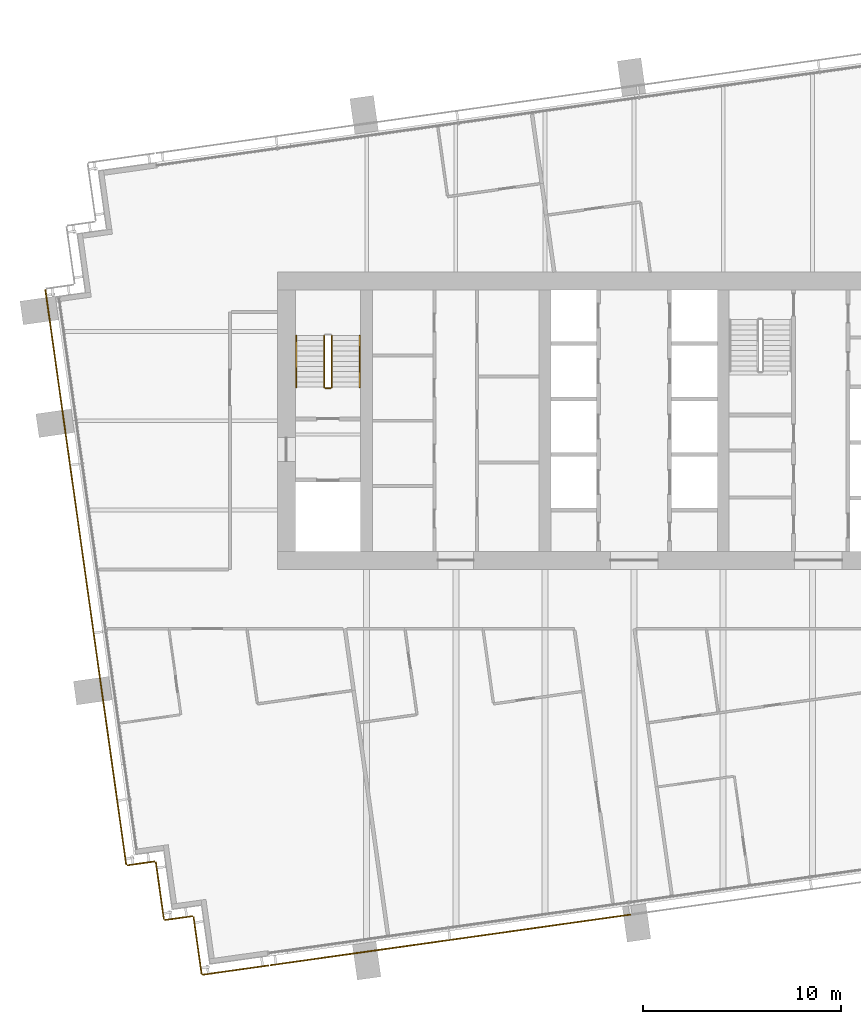
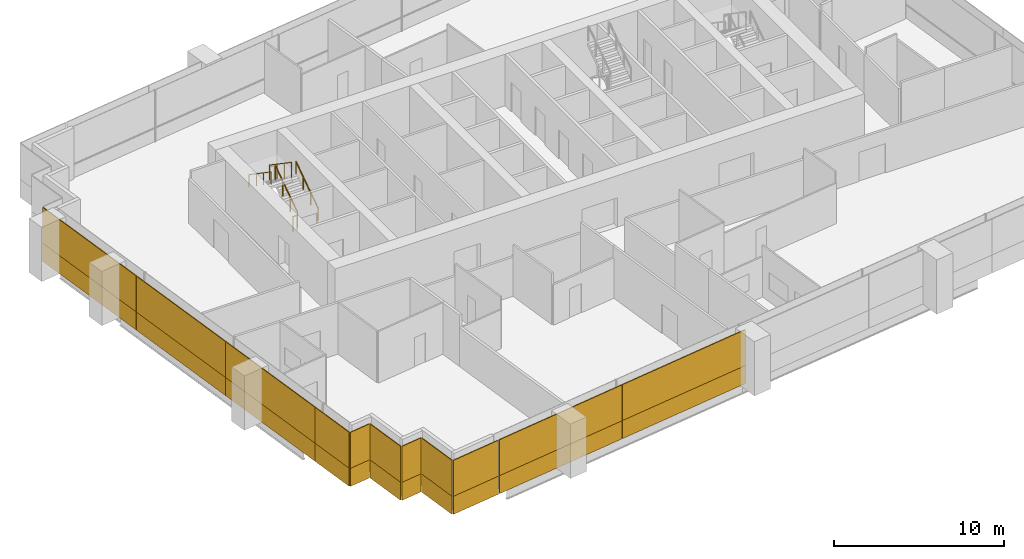
# One storey, part 14 of 18: 22 coverings, 5 railings.
"""IFC4 building model written with IfcOpenShell, lengths in metres."""

from ifc_helpers import new_model, si_unit, direction, frame, origin, origin_2d, place, context, subcontext, project, spatial, rectangle, extrude, material, layer, layer_set, type_object, element, save


model = new_model("IFC4")

# Units and contexts
model_context = context("Model", 3, precision=1e-05, world=origin(), true_north=direction((0.0, 1.0)))
body_context = subcontext(model_context, "Body", "Model", "MODEL_VIEW")
ifc_project = project(units=[si_unit("LENGTHUNIT", "METRE"), si_unit("AREAUNIT", "SQUARE_METRE"), si_unit("VOLUMEUNIT", "CUBIC_METRE"), si_unit("PLANEANGLEUNIT", "RADIAN"), si_unit("MASSUNIT", "GRAM", prefix="KILO")], contexts=[model_context])

# Site, building, storey
site_placement = place(None, origin())
site = spatial("IfcSite", under=ifc_project, at=site_placement, CompositionType="ELEMENT")
building_placement = place(site_placement, origin())
building = spatial("IfcBuilding", under=site, at=building_placement, Name="Rattan Terrace Tower", CompositionType="ELEMENT")
storey_placement = place(building_placement, frame((0.0, 0.0, 176.300048828125)))
storey = spatial("IfcBuildingStorey", under=building, at=storey_placement, Name="L40", CompositionType="ELEMENT", Elevation=176.300048828125)

# Railings
ifc_material_1 = material(Name="Powder-coated steel guard", Category="steel")
railing_type_1 = type_object("IfcRailingType", Name="Core stair guard", PredefinedType="GUARDRAIL", material=ifc_material_1)
railing_1_placement = place(storey_placement, frame((-15.25, 1.699951171875, 0.17724609375)))
element("IfcRailing", 1, at=railing_1_placement, inside=storey, type_object=railing_type_1, Name="L40 S1 stair guard 1", PredefinedType="GUARDRAIL", context=body_context, shape_type="SweptSolid", body=[
    extrude(rectangle(XDim=0.048095703125, YDim=0.048095703125, at=origin_2d()), frame((0.0, 0.0, 1.076171875), z_axis=(0.0, 0.826240473404, 0.563317565952), x_axis=(-1.0, 0.0, 0.0)), (0.0, 0.0, 1.0), 3.14697265625),
    extrude(rectangle(XDim=0.0419921875, YDim=0.0419921875, at=origin_2d()), origin(), (0.0, 0.0, 1.0), 1.052001953125),
    extrude(rectangle(XDim=0.0419921875, YDim=0.0419921875, at=origin_2d()), frame((0.0, 0.86669921875, 0.5908203125)), (0.0, 0.0, 1.0), 1.052001953125),
    extrude(rectangle(XDim=0.0419921875, YDim=0.0419921875, at=origin_2d()), frame((0.0, 1.7333984375, 1.181884765625)), (0.0, 0.0, 1.0), 1.052001953125),
    extrude(rectangle(XDim=0.0419921875, YDim=0.0419921875, at=origin_2d()), frame((0.0, 2.60009765625, 1.772705078125)), (0.0, 0.0, 1.0), 1.052001953125),
])
railing_2_placement = place(storey_placement, frame((-15.64990234375, 4.300048828125, 2.127197265625)))
element("IfcRailing", 2, at=railing_2_placement, inside=storey, type_object=railing_type_1, Name="L40 S1 stair guard 3", PredefinedType="GUARDRAIL", context=body_context, shape_type="SweptSolid", body=[
    extrude(rectangle(XDim=0.048095703125, YDim=0.048095703125, at=origin_2d()), frame((0.0, 0.0, 1.076171875), z_axis=(0.0, -0.826240473404, 0.563317565952), x_axis=(1.0, 0.0, 0.0)), (0.0, 0.0, 1.0), 3.14697265625),
    extrude(rectangle(XDim=0.0419921875, YDim=0.0419921875, at=origin_2d()), origin(), (0.0, 0.0, 1.0), 1.052001953125),
    extrude(rectangle(XDim=0.0419921875, YDim=0.0419921875, at=origin_2d()), frame((0.0, -0.86669921875, 0.5908203125)), (0.0, 0.0, 1.0), 1.052001953125),
    extrude(rectangle(XDim=0.0419921875, YDim=0.0419921875, at=origin_2d()), frame((0.0, -1.7333984375, 1.181884765625)), (0.0, 0.0, 1.0), 1.052001953125),
    extrude(rectangle(XDim=0.0419921875, YDim=0.0419921875, at=origin_2d()), frame((0.0, -2.60009765625, 1.772705078125)), (0.0, 0.0, 1.0), 1.052001953125),
])
railing_3_placement = place(storey_placement, frame((-15.300048828125, 1.64990234375, 0.0)))
element("IfcRailing", 3, at=railing_3_placement, inside=storey, type_object=railing_type_1, Name="L40 S1 stair guard 4", PredefinedType="GUARDRAIL", context=body_context, shape_type="SweptSolid", body=[
    extrude(rectangle(XDim=0.048095703125, YDim=0.048095703125, at=origin_2d()), frame((0.0, 0.0, 1.076171875), z_axis=(-1.0, 0.0, 0.0), x_axis=(0.0, -1.0, 0.0)), (0.0, 0.0, 1.0), 0.300048828125),
    extrude(rectangle(XDim=0.0419921875, YDim=0.0419921875, at=origin_2d()), origin(), (0.0, 0.0, 1.0), 1.052001953125),
    extrude(rectangle(XDim=0.0419921875, YDim=0.0419921875, at=origin_2d()), frame((-0.300048828125, 0.0, 0.0)), (0.0, 0.0, 1.0), 1.052001953125),
])
ifc_material_2 = material(Name="Powder-coated steel handrail", Category="steel")
railing_type_2 = type_object("IfcRailingType", Name="Core stair handrail", PredefinedType="HANDRAIL", material=ifc_material_2)
railing_4_placement = place(storey_placement, frame((-13.85009765625, 1.699951171875, 0.17724609375)))
element("IfcRailing", 4, at=railing_4_placement, inside=storey, type_object=railing_type_2, Name="L40 S1 stair handrail 1", PredefinedType="HANDRAIL", context=body_context, shape_type="SweptSolid", body=[
    extrude(rectangle(XDim=0.048095703125, YDim=0.048095703125, at=origin_2d()), frame((0.0, 0.0, 0.8759765625), z_axis=(0.0, 0.826240473404, 0.563317565952), x_axis=(-1.0, 0.0, 0.0)), (0.0, 0.0, 1.0), 3.14697265625),
    extrude(rectangle(XDim=0.0419921875, YDim=0.0419921875, at=origin_2d()), origin(), (0.0, 0.0, 1.0), 0.851806640625),
    extrude(rectangle(XDim=0.0419921875, YDim=0.0419921875, at=origin_2d()), frame((0.0, 0.86669921875, 0.5908203125)), (0.0, 0.0, 1.0), 0.851806640625),
    extrude(rectangle(XDim=0.0419921875, YDim=0.0419921875, at=origin_2d()), frame((0.0, 1.7333984375, 1.181884765625)), (0.0, 0.0, 1.0), 0.851806640625),
    extrude(rectangle(XDim=0.0419921875, YDim=0.0419921875, at=origin_2d()), frame((0.0, 2.60009765625, 1.772705078125)), (0.0, 0.0, 1.0), 0.851806640625),
])
railing_5_placement = place(storey_placement, frame((-17.050048828125, 4.300048828125, 2.127197265625)))
element("IfcRailing", 5, at=railing_5_placement, inside=storey, type_object=railing_type_2, Name="L40 S1 stair handrail 2", PredefinedType="HANDRAIL", context=body_context, shape_type="SweptSolid", body=[
    extrude(rectangle(XDim=0.048095703125, YDim=0.048095703125, at=origin_2d()), frame((0.0, 0.0, 0.8759765625), z_axis=(0.0, -0.826240473404, 0.563317565952), x_axis=(1.0, 0.0, 0.0)), (0.0, 0.0, 1.0), 3.14697265625),
    extrude(rectangle(XDim=0.0419921875, YDim=0.0419921875, at=origin_2d()), origin(), (0.0, 0.0, 1.0), 0.851806640625),
    extrude(rectangle(XDim=0.0419921875, YDim=0.0419921875, at=origin_2d()), frame((0.0, -0.86669921875, 0.5908203125)), (0.0, 0.0, 1.0), 0.851806640625),
    extrude(rectangle(XDim=0.0419921875, YDim=0.0419921875, at=origin_2d()), frame((0.0, -1.7333984375, 1.181884765625)), (0.0, 0.0, 1.0), 0.851806640625),
    extrude(rectangle(XDim=0.0419921875, YDim=0.0419921875, at=origin_2d()), frame((0.0, -2.60009765625, 1.772705078125)), (0.0, 0.0, 1.0), 0.851806640625),
])

# Coverings
ifc_material_3 = material(Name="Solid terracotta", Category="masonry")
ifc_layer_1 = layer(ifc_material_3, 0.06005859375)
ifc_layer_set_1 = layer_set([ifc_layer_1], Name="Facade Terracotta Band Panel")
covering_type_1 = type_object("IfcCoveringType", Name="Facade Terracotta Band Panel", PredefinedType="CLADDING", material=ifc_layer_set_1)
covering_1_placement = place(storey_placement, frame((-29.095703125, 2.19580078125, -0.18994140625), z_axis=(0.0, 0.0, 1.0), x_axis=(0.139190856006, -0.99026557327, 0.0)))
element("IfcCovering", 6, at=covering_1_placement, inside=storey, type_object=covering_type_1, Name="OUTER SKIN panel L40-25A", PredefinedType="CLADDING", context=body_context, shape_type="SweptSolid", body=[
    extrude(rectangle(XDim=8.949951171875, YDim=0.06005859375, at=origin_2d()), origin(), (0.0, 0.0, 1.0), 1.300048828125),
])
for number, where, z_axis, x_axis, name in (
    (7, (-27.87646484375, -6.478759765625, -0.18994140625), (0.0, 0.0, 1.0), (0.139190856006, -0.99026557327, 0.0), "OUTER SKIN panel L40-26A"),
    (8, (-26.6865234375, -14.945556640625, -0.18994140625), (0.0, 0.0, 1.0), (0.139190856006, -0.99026557327, 0.0), "OUTER SKIN panel L40-27A"),
):
    element("IfcCovering", number, at=place(storey_placement, frame(where, z_axis=z_axis, x_axis=x_axis)), inside=storey, type_object=covering_type_1, Name=name, PredefinedType="CLADDING", context=body_context, shape_type="SweptSolid", body=[
        extrude(rectangle(XDim=8.530029296875, YDim=0.06005859375, at=origin_2d()), origin(), (0.0, 0.0, 1.0), 1.300048828125),
    ])
covering_2_placement = place(storey_placement, frame((-25.86376953125, -20.79833984375, -0.18994140625), z_axis=(0.0, 0.0, 1.0), x_axis=(0.139190856006, -0.99026557327, 0.0)))
element("IfcCovering", 9, at=covering_2_placement, inside=storey, type_object=covering_type_1, Name="OUTER SKIN panel L40-28A", PredefinedType="CLADDING", context=body_context, shape_type="SweptSolid", body=[
    extrude(rectangle(XDim=3.25048828125, YDim=0.06005859375, at=origin_2d()), origin(), (0.0, 0.0, 1.0), 1.300048828125),
])
covering_3_placement = place(storey_placement, frame((-24.889404296875, -22.3427734375, -0.18994140625), z_axis=(0.0, 0.0, 1.0), x_axis=(0.990240767803, 0.139367219175, 0.0)))
element("IfcCovering", 10, at=covering_3_placement, inside=storey, type_object=covering_type_1, Name="OUTER SKIN panel L40-29A", PredefinedType="CLADDING", context=body_context, shape_type="SweptSolid", body=[
    extrude(rectangle(XDim=1.419677734375, YDim=0.06005859375, at=origin_2d()), origin(), (0.0, 0.0, 1.0), 1.300048828125),
])
covering_4_placement = place(storey_placement, frame((-23.93798828125, -23.723876953125, -0.18994140625), z_axis=(0.0, 0.0, 1.0), x_axis=(0.139321220646, -0.990247240581, 0.0)))
element("IfcCovering", 11, at=covering_4_placement, inside=storey, type_object=covering_type_1, Name="OUTER SKIN panel L40-30A", PredefinedType="CLADDING", context=body_context, shape_type="SweptSolid", body=[
    extrude(rectangle(XDim=2.920166015625, YDim=0.06005859375, at=origin_2d()), origin(), (0.0, 0.0, 1.0), 1.300048828125),
])
covering_5_placement = place(storey_placement, frame((-22.986328125, -25.104736328125, -0.18994140625), z_axis=(0.0, 0.0, 1.0), x_axis=(0.990240767803, 0.139367219175, 0.0)))
element("IfcCovering", 12, at=covering_5_placement, inside=storey, type_object=covering_type_1, Name="OUTER SKIN panel L40-31A", PredefinedType="CLADDING", context=body_context, shape_type="SweptSolid", body=[
    extrude(rectangle(XDim=1.419677734375, YDim=0.06005859375, at=origin_2d()), origin(), (0.0, 0.0, 1.0), 1.300048828125),
])
covering_6_placement = place(storey_placement, frame((-22.034912109375, -26.48583984375, -0.18994140625), z_axis=(0.0, 0.0, 1.0), x_axis=(0.139321220646, -0.990247240581, 0.0)))
element("IfcCovering", 13, at=covering_6_placement, inside=storey, type_object=covering_type_1, Name="OUTER SKIN panel L40-32A", PredefinedType="CLADDING", context=body_context, shape_type="SweptSolid", body=[
    extrude(rectangle(XDim=2.920166015625, YDim=0.06005859375, at=origin_2d()), origin(), (0.0, 0.0, 1.0), 1.300048828125),
])
covering_7_placement = place(storey_placement, frame((-20.1181640625, -27.73095703125, -0.18994140625), z_axis=(0.0, 0.0, 1.0), x_axis=(0.990240767803, 0.139367219175, 0.0)))
element("IfcCovering", 14, at=covering_7_placement, inside=storey, type_object=covering_type_1, Name="OUTER SKIN panel L40-33A", PredefinedType="CLADDING", context=body_context, shape_type="SweptSolid", body=[
    extrude(rectangle(XDim=3.369140625, YDim=0.06005859375, at=origin_2d()), origin(), (0.0, 0.0, 1.0), 1.300048828125),
])
covering_8_placement = place(storey_placement, frame((-13.833740234375, -26.847412109375, -0.18994140625), z_axis=(0.0, 0.0, 1.0), x_axis=(0.990269702686, 0.139161474347, 0.0)))
element("IfcCovering", 15, at=covering_8_placement, inside=storey, type_object=covering_type_1, Name="OUTER SKIN panel L40-34A", PredefinedType="CLADDING", context=body_context, shape_type="SweptSolid", body=[
    extrude(rectangle(XDim=9.162841796875, YDim=0.06005859375, at=origin_2d()), origin(), (0.0, 0.0, 1.0), 1.300048828125),
])
covering_9_placement = place(storey_placement, frame((-4.725341796875, -25.5673828125, -0.18994140625), z_axis=(0.0, 0.0, 1.0), x_axis=(0.990269702686, 0.139161474347, 0.0)))
element("IfcCovering", 16, at=covering_9_placement, inside=storey, type_object=covering_type_1, Name="OUTER SKIN panel L40-35A", PredefinedType="CLADDING", context=body_context, shape_type="SweptSolid", body=[
    extrude(rectangle(XDim=9.193115234375, YDim=0.06005859375, at=origin_2d()), origin(), (0.0, 0.0, 1.0), 1.300048828125),
])
ifc_material_4 = material(Name="Perforated terracotta", Category="masonry")
ifc_layer_2 = layer(ifc_material_4, 0.06005859375)
ifc_layer_set_2 = layer_set([ifc_layer_2], Name="Facade Terracotta Screen Panel")
covering_type_2 = type_object("IfcCoveringType", Name="Facade Terracotta Screen Panel", PredefinedType="CLADDING", material=ifc_layer_set_2)
covering_10_placement = place(storey_placement, frame((-29.095703125, 2.19580078125, 1.10986328125), z_axis=(0.0, 0.0, 1.0), x_axis=(0.139190856006, -0.99026557327, 0.0)))
element("IfcCovering", 17, at=covering_10_placement, inside=storey, type_object=covering_type_2, Name="OUTER SKIN panel L40-25B", PredefinedType="CLADDING", context=body_context, shape_type="SweptSolid", body=[
    extrude(rectangle(XDim=8.949951171875, YDim=0.06005859375, at=origin_2d()), origin(), (0.0, 0.0, 1.0), 2.580078125),
])
for number, where, z_axis, x_axis, name in (
    (18, (-27.87646484375, -6.478759765625, 1.10986328125), (0.0, 0.0, 1.0), (0.139190856006, -0.99026557327, 0.0), "OUTER SKIN panel L40-26B"),
    (19, (-26.6865234375, -14.945556640625, 1.10986328125), (0.0, 0.0, 1.0), (0.139190856006, -0.99026557327, 0.0), "OUTER SKIN panel L40-27B"),
):
    element("IfcCovering", number, at=place(storey_placement, frame(where, z_axis=z_axis, x_axis=x_axis)), inside=storey, type_object=covering_type_2, Name=name, PredefinedType="CLADDING", context=body_context, shape_type="SweptSolid", body=[
        extrude(rectangle(XDim=8.530029296875, YDim=0.06005859375, at=origin_2d()), origin(), (0.0, 0.0, 1.0), 2.580078125),
    ])
covering_11_placement = place(storey_placement, frame((-25.86376953125, -20.79833984375, 1.10986328125), z_axis=(0.0, 0.0, 1.0), x_axis=(0.139190856006, -0.99026557327, 0.0)))
element("IfcCovering", 20, at=covering_11_placement, inside=storey, type_object=covering_type_2, Name="OUTER SKIN panel L40-28B", PredefinedType="CLADDING", context=body_context, shape_type="SweptSolid", body=[
    extrude(rectangle(XDim=3.25048828125, YDim=0.06005859375, at=origin_2d()), origin(), (0.0, 0.0, 1.0), 2.580078125),
])
covering_12_placement = place(storey_placement, frame((-24.889404296875, -22.3427734375, 1.10986328125), z_axis=(0.0, 0.0, 1.0), x_axis=(0.990240767803, 0.139367219175, 0.0)))
element("IfcCovering", 21, at=covering_12_placement, inside=storey, type_object=covering_type_2, Name="OUTER SKIN panel L40-29B", PredefinedType="CLADDING", context=body_context, shape_type="SweptSolid", body=[
    extrude(rectangle(XDim=1.419677734375, YDim=0.06005859375, at=origin_2d()), origin(), (0.0, 0.0, 1.0), 2.580078125),
])
covering_13_placement = place(storey_placement, frame((-23.93798828125, -23.723876953125, 1.10986328125), z_axis=(0.0, 0.0, 1.0), x_axis=(0.139321220646, -0.990247240581, 0.0)))
element("IfcCovering", 22, at=covering_13_placement, inside=storey, type_object=covering_type_2, Name="OUTER SKIN panel L40-30B", PredefinedType="CLADDING", context=body_context, shape_type="SweptSolid", body=[
    extrude(rectangle(XDim=2.920166015625, YDim=0.06005859375, at=origin_2d()), origin(), (0.0, 0.0, 1.0), 2.580078125),
])
covering_14_placement = place(storey_placement, frame((-22.986328125, -25.104736328125, 1.10986328125), z_axis=(0.0, 0.0, 1.0), x_axis=(0.990240767803, 0.139367219175, 0.0)))
element("IfcCovering", 23, at=covering_14_placement, inside=storey, type_object=covering_type_2, Name="OUTER SKIN panel L40-31B", PredefinedType="CLADDING", context=body_context, shape_type="SweptSolid", body=[
    extrude(rectangle(XDim=1.419677734375, YDim=0.06005859375, at=origin_2d()), origin(), (0.0, 0.0, 1.0), 2.580078125),
])
covering_15_placement = place(storey_placement, frame((-22.034912109375, -26.48583984375, 1.10986328125), z_axis=(0.0, 0.0, 1.0), x_axis=(0.139321220646, -0.990247240581, 0.0)))
element("IfcCovering", 24, at=covering_15_placement, inside=storey, type_object=covering_type_2, Name="OUTER SKIN panel L40-32B", PredefinedType="CLADDING", context=body_context, shape_type="SweptSolid", body=[
    extrude(rectangle(XDim=2.920166015625, YDim=0.06005859375, at=origin_2d()), origin(), (0.0, 0.0, 1.0), 2.580078125),
])
covering_16_placement = place(storey_placement, frame((-20.1181640625, -27.73095703125, 1.10986328125), z_axis=(0.0, 0.0, 1.0), x_axis=(0.990240767803, 0.139367219175, 0.0)))
element("IfcCovering", 25, at=covering_16_placement, inside=storey, type_object=covering_type_2, Name="OUTER SKIN panel L40-33B", PredefinedType="CLADDING", context=body_context, shape_type="SweptSolid", body=[
    extrude(rectangle(XDim=3.369140625, YDim=0.06005859375, at=origin_2d()), origin(), (0.0, 0.0, 1.0), 2.580078125),
])
covering_17_placement = place(storey_placement, frame((-13.833740234375, -26.847412109375, 1.10986328125), z_axis=(0.0, 0.0, 1.0), x_axis=(0.990269702686, 0.139161474347, 0.0)))
element("IfcCovering", 26, at=covering_17_placement, inside=storey, type_object=covering_type_2, Name="OUTER SKIN panel L40-34B", PredefinedType="CLADDING", context=body_context, shape_type="SweptSolid", body=[
    extrude(rectangle(XDim=9.162841796875, YDim=0.06005859375, at=origin_2d()), origin(), (0.0, 0.0, 1.0), 2.580078125),
])
covering_18_placement = place(storey_placement, frame((-4.725341796875, -25.5673828125, 1.10986328125), z_axis=(0.0, 0.0, 1.0), x_axis=(0.990269702686, 0.139161474347, 0.0)))
element("IfcCovering", 27, at=covering_18_placement, inside=storey, type_object=covering_type_2, Name="OUTER SKIN panel L40-35B", PredefinedType="CLADDING", context=body_context, shape_type="SweptSolid", body=[
    extrude(rectangle(XDim=9.193115234375, YDim=0.06005859375, at=origin_2d()), origin(), (0.0, 0.0, 1.0), 2.580078125),
])

save(model, "model.ifc")
